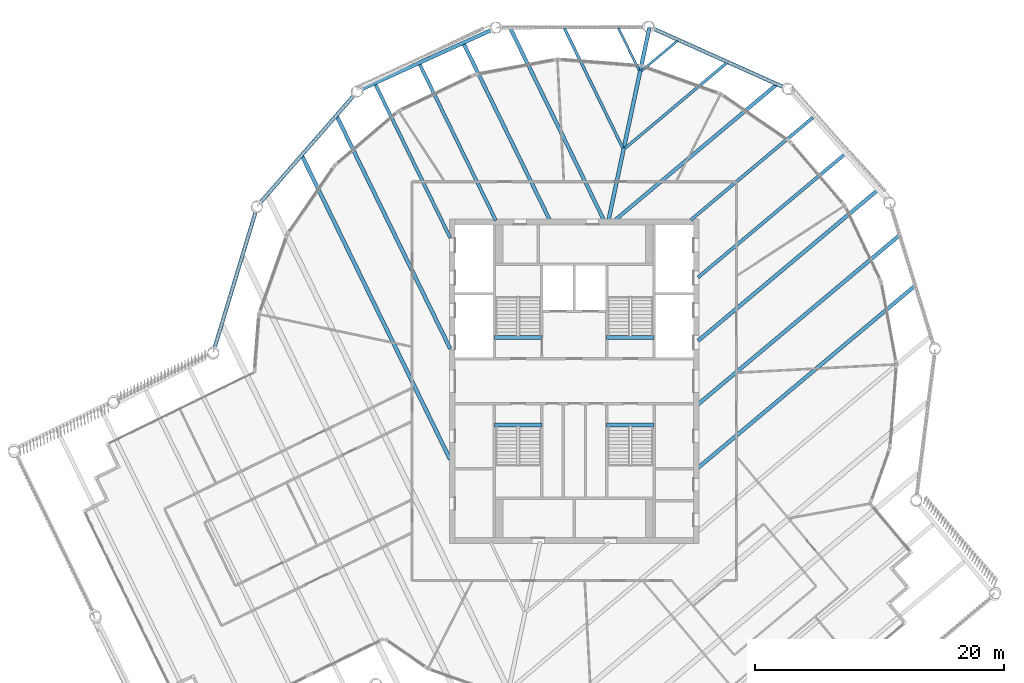
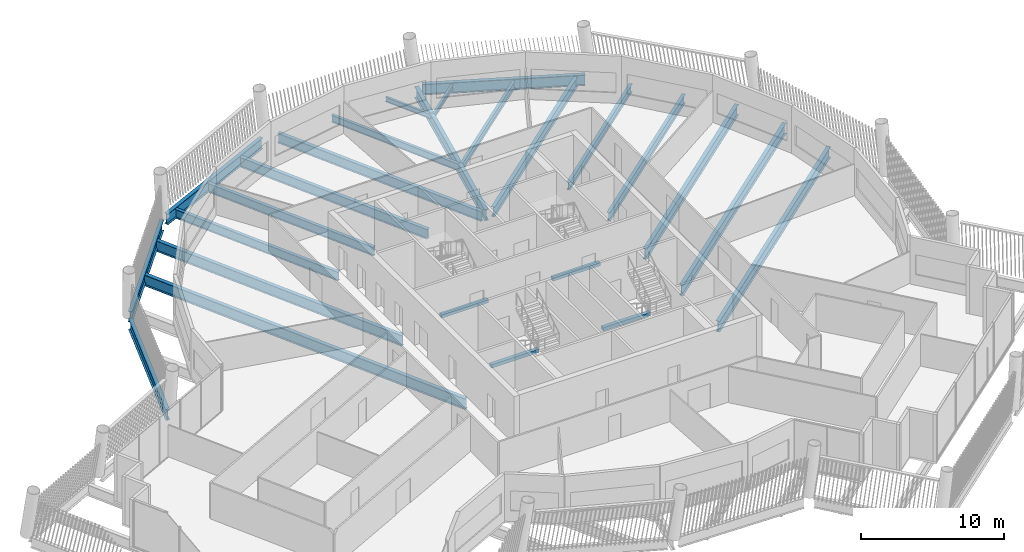
# One storey, part 15 of 31: 25 beams.
"""IFC4 building model written with IfcOpenShell, lengths in metres."""

from ifc_helpers import new_model, si_unit, direction, frame, origin, origin_2d, place, context, subcontext, project, spatial, rectangle, i_section, extrude, material, material_profile, profile_set, type_object, element, save


model = new_model("IFC4")

# Units and contexts
model_context = context("Model", 3, precision=1e-05, world=origin(), true_north=direction((0.0, 1.0)))
body_context = subcontext(model_context, "Body", "Model", "MODEL_VIEW")
ifc_project = project(units=[si_unit("LENGTHUNIT", "METRE"), si_unit("AREAUNIT", "SQUARE_METRE"), si_unit("VOLUMEUNIT", "CUBIC_METRE"), si_unit("PLANEANGLEUNIT", "RADIAN"), si_unit("MASSUNIT", "GRAM", prefix="KILO")], contexts=[model_context])

# Site, building, storey
site_placement = place(None, origin())
site = spatial("IfcSite", under=ifc_project, at=site_placement, CompositionType="ELEMENT")
building_placement = place(site_placement, origin())
building = spatial("IfcBuilding", under=site, at=building_placement, Name="Tarsis Ring Headquarters", CompositionType="ELEMENT")
storey_placement = place(building_placement, frame((0.0, 0.0, 390.199951171875)))
storey = spatial("IfcBuildingStorey", under=building, at=storey_placement, Name="L92", CompositionType="ELEMENT", Elevation=390.199951171875)

# Beams
ifc_material_1 = material(Name="Structural steel S355", Category="steel")
ifc_material_profile_1 = material_profile(ifc_material_1, i_section(OverallWidth=0.177734375, OverallDepth=0.406494140625, WebThickness=0.0078125, FlangeThickness=0.0126953125, at=origin_2d()), Name="W16x40")
ifc_profile_set_1 = profile_set([ifc_material_profile_1], Name="Structural steel S355")
beam_type_1 = type_object("IfcBeamType", Name="FB Floor beam W16x40", PredefinedType="JOIST", material=ifc_profile_set_1)
beam_1_placement = place(storey_placement, frame((5.38427734375, 24.88232421875, -0.363037109375), z_axis=(0.766057117415, 0.642772504746, 0.0), x_axis=(-0.642772504746, 0.766057117415, 0.0)))
element("IfcBeam", 1, at=beam_1_placement, inside=storey, type_object=beam_type_1, Name="Floor beam FB1", PredefinedType="JOIST", context=body_context, shape_type="SweptSolid", body=[
    extrude(i_section(OverallWidth=0.177734375, OverallDepth=0.406494140625, WebThickness=0.0078125, FlangeThickness=0.0126953125, at=origin_2d()), origin(), (0.0, 0.0, 1.0), 3.80810546875),
])
beam_2_placement = place(storey_placement, frame((3.532470703125, 28.34375, -0.363037109375), z_axis=(0.438344050683, -0.898807261448, 0.0), x_axis=(0.898807261448, 0.438344050683, 0.0)))
element("IfcBeam", 2, at=beam_2_placement, inside=storey, type_object=beam_type_1, Name="Floor beam FB1", PredefinedType="JOIST", context=body_context, shape_type="SweptSolid", body=[
    extrude(i_section(OverallWidth=0.177734375, OverallDepth=0.406494140625, WebThickness=0.0078125, FlangeThickness=0.0126953125, at=origin_2d()), origin(), (0.0, 0.0, 1.0), 3.807861328125),
])
ifc_material_profile_2 = material_profile(ifc_material_1, i_section(OverallWidth=0.228271484375, OverallDepth=0.607177734375, WebThickness=0.01123046875, FlangeThickness=0.017333984375, at=origin_2d()), Name="W24x76")
ifc_profile_set_2 = profile_set([ifc_material_profile_2], Name="Structural steel S355")
beam_type_2 = type_object("IfcBeamType", Name="FB Floor beam W24x76", PredefinedType="JOIST", material=ifc_profile_set_2)
beam_3_placement = place(storey_placement, frame((4.0673828125, 18.686279296875, -0.463623046875), z_axis=(0.766048571641, 0.642782689474, 0.0), x_axis=(-0.642782689474, 0.766048571641, 0.0)))
element("IfcBeam", 3, at=beam_3_placement, inside=storey, type_object=beam_type_2, Name="Floor beam FB4", PredefinedType="JOIST", context=body_context, shape_type="SweptSolid", body=[
    extrude(i_section(OverallWidth=0.228271484375, OverallDepth=0.607177734375, WebThickness=0.01123046875, FlangeThickness=0.017333984375, at=origin_2d()), origin(), (0.0, 0.0, 1.0), 10.687255859375),
])
beam_4_placement = place(storey_placement, frame((-0.800537109375, 28.330810546875, -0.463623046875), z_axis=(0.438392577123, -0.898783593711, 0.0), x_axis=(0.898783593711, 0.438392577123, 0.0)))
element("IfcBeam", 4, at=beam_4_placement, inside=storey, type_object=beam_type_2, Name="Floor beam FB4", PredefinedType="JOIST", context=body_context, shape_type="SweptSolid", body=[
    extrude(i_section(OverallWidth=0.228271484375, OverallDepth=0.607177734375, WebThickness=0.01123046875, FlangeThickness=0.017333984375, at=origin_2d()), origin(), (0.0, 0.0, 1.0), 10.6875),
])
ifc_material_profile_3 = material_profile(ifc_material_1, i_section(OverallWidth=0.2529296875, OverallDepth=0.67822265625, WebThickness=0.01171875, FlangeThickness=0.016357421875, at=origin_2d()), Name="W27x84")
ifc_profile_set_3 = profile_set([ifc_material_profile_3], Name="Structural steel S355")
beam_type_3 = type_object("IfcBeamType", Name="FB Floor beam W27x84", PredefinedType="JOIST", material=ifc_profile_set_3)
beam_5_placement = place(storey_placement, frame((9.348876953125, 12.935791015625, -0.4990234375), z_axis=(0.766048862364, 0.642782342999, 0.0), x_axis=(-0.642782342999, 0.766048862364, 0.0)))
element("IfcBeam", 5, at=beam_5_placement, inside=storey, type_object=beam_type_3, Name="Floor beam FB5", PredefinedType="JOIST", context=body_context, shape_type="SweptSolid", body=[
    extrude(i_section(OverallWidth=0.2529296875, OverallDepth=0.67822265625, WebThickness=0.01171875, FlangeThickness=0.016357421875, at=origin_2d()), origin(), (0.0, 0.0, 1.0), 12.77490234375),
])
ifc_material_profile_4 = material_profile(ifc_material_1, i_section(OverallWidth=0.2666015625, OverallDepth=0.7568359375, WebThickness=0.013916015625, FlangeThickness=0.019287109375, at=origin_2d()), Name="W30x108")
ifc_profile_set_4 = profile_set([ifc_material_profile_4], Name="Structural steel S355")
beam_type_4 = type_object("IfcBeamType", Name="FB Floor beam W30x108", PredefinedType="JOIST", material=ifc_profile_set_4)
beam_6_placement = place(storey_placement, frame((9.92333984375, 8.32666015625, -0.538330078125), z_axis=(0.766042701254, 0.642789685555, 0.0), x_axis=(-0.642789685555, 0.766042701254, 0.0)))
element("IfcBeam", 6, at=beam_6_placement, inside=storey, type_object=beam_type_4, Name="Floor beam FB6", PredefinedType="JOIST", context=body_context, shape_type="SweptSolid", body=[
    extrude(i_section(OverallWidth=0.2666015625, OverallDepth=0.7568359375, WebThickness=0.013916015625, FlangeThickness=0.019287109375, at=origin_2d()), origin(), (0.0, 0.0, 1.0), 15.39892578125),
])
beam_7_placement = place(storey_placement, frame((-12.428955078125, 25.483154296875, -0.538330078125), z_axis=(0.438374804306, -0.8987922624, 0.0), x_axis=(0.8987922624, 0.438374804306, 0.0)))
element("IfcBeam", 7, at=beam_7_placement, inside=storey, type_object=beam_type_4, Name="Floor beam FB6", PredefinedType="JOIST", context=body_context, shape_type="SweptSolid", body=[
    extrude(i_section(OverallWidth=0.2666015625, OverallDepth=0.7568359375, WebThickness=0.013916015625, FlangeThickness=0.019287109375, at=origin_2d()), origin(), (0.0, 0.0, 1.0), 13.98876953125),
])
beam_8_placement = place(storey_placement, frame((-15.978759765625, 23.864501953125, -0.538330078125), z_axis=(0.438384768402, -0.898787402467, 0.0), x_axis=(0.898787402467, 0.438384768402, 0.0)))
element("IfcBeam", 8, at=beam_8_placement, inside=storey, type_object=beam_type_4, Name="Floor beam FB6", PredefinedType="JOIST", context=body_context, shape_type="SweptSolid", body=[
    extrude(i_section(OverallWidth=0.2666015625, OverallDepth=0.7568359375, WebThickness=0.013916015625, FlangeThickness=0.019287109375, at=origin_2d()), origin(), (0.0, 0.0, 1.0), 13.73828125),
])
ifc_material_profile_5 = material_profile(ifc_material_1, i_section(OverallWidth=0.2919921875, OverallDepth=0.835693359375, WebThickness=0.013916015625, FlangeThickness=0.018798828125, at=origin_2d()), Name="W33x118")
ifc_profile_set_5 = profile_set([ifc_material_profile_5], Name="Structural steel S355")
beam_type_5 = type_object("IfcBeamType", Name="FB Floor beam W33x118", PredefinedType="JOIST", material=ifc_profile_set_5)
beam_9_placement = place(storey_placement, frame((3.281494140625, 12.935791015625, -0.577880859375), z_axis=(0.766052493561, 0.642778015421, 0.0), x_axis=(-0.642778015421, 0.766052493561, 0.0)))
element("IfcBeam", 9, at=beam_9_placement, inside=storey, type_object=beam_type_5, Name="Floor beam FB7", PredefinedType="JOIST", context=body_context, shape_type="SweptSolid", body=[
    extrude(i_section(OverallWidth=0.2919921875, OverallDepth=0.835693359375, WebThickness=0.013916015625, FlangeThickness=0.018798828125, at=origin_2d()), origin(), (0.0, 0.0, 1.0), 16.87353515625),
])
beam_10_placement = place(storey_placement, frame((-5.13330078125, 28.31787109375, -0.577880859375), z_axis=(0.438373405604, -0.898792944598, 0.0), x_axis=(0.898792944598, 0.438373405604, 0.0)))
element("IfcBeam", 10, at=beam_10_placement, inside=storey, type_object=beam_type_5, Name="Floor beam FB7", PredefinedType="JOIST", context=body_context, shape_type="SweptSolid", body=[
    extrude(i_section(OverallWidth=0.2919921875, OverallDepth=0.835693359375, WebThickness=0.013916015625, FlangeThickness=0.018798828125, at=origin_2d()), origin(), (0.0, 0.0, 1.0), 17.142578125),
])
beam_11_placement = place(storey_placement, frame((-8.87939453125, 27.101806640625, -0.577880859375), z_axis=(0.438378545742, -0.898790437551, 0.0), x_axis=(0.898790437551, 0.438378545742, 0.0)))
element("IfcBeam", 11, at=beam_11_placement, inside=storey, type_object=beam_type_5, Name="Floor beam FB7", PredefinedType="JOIST", context=body_context, shape_type="SweptSolid", body=[
    extrude(i_section(OverallWidth=0.2919921875, OverallDepth=0.835693359375, WebThickness=0.013916015625, FlangeThickness=0.018798828125, at=origin_2d()), origin(), (0.0, 0.0, 1.0), 15.789794921875),
])
ifc_material_profile_6 = material_profile(ifc_material_1, i_section(OverallWidth=0.3046875, OverallDepth=0.904296875, WebThickness=0.01513671875, FlangeThickness=0.02001953125, at=origin_2d()), Name="W36x135")
ifc_profile_set_6 = profile_set([ifc_material_profile_6], Name="Structural steel S355")
beam_type_6 = type_object("IfcBeamType", Name="FB Floor beam W36x135", PredefinedType="JOIST", material=ifc_profile_set_6)
beam_12_placement = place(storey_placement, frame((9.92333984375, 3.235595703125, -0.612060546875), z_axis=(0.766042179182, 0.642790307732, 0.0), x_axis=(-0.642790307732, 0.766042179182, 0.0)))
element("IfcBeam", 12, at=beam_12_placement, inside=storey, type_object=beam_type_6, Name="Floor beam FB8", PredefinedType="JOIST", context=body_context, shape_type="SweptSolid", body=[
    extrude(i_section(OverallWidth=0.3046875, OverallDepth=0.904296875, WebThickness=0.01513671875, FlangeThickness=0.02001953125, at=origin_2d()), origin(), (0.0, 0.0, 1.0), 18.772216796875),
])
beam_13_placement = place(storey_placement, frame((9.92333984375, -1.85546875, -0.612060546875), z_axis=(0.766045833186, 0.642785953066, 0.0), x_axis=(-0.642785953066, 0.766045833186, 0.0)))
element("IfcBeam", 13, at=beam_13_placement, inside=storey, type_object=beam_type_6, Name="Floor beam FB8", PredefinedType="JOIST", context=body_context, shape_type="SweptSolid", body=[
    extrude(i_section(OverallWidth=0.3046875, OverallDepth=0.904296875, WebThickness=0.01513671875, FlangeThickness=0.02001953125, at=origin_2d()), origin(), (0.0, 0.0, 1.0), 21.052734375),
])
beam_14_placement = place(storey_placement, frame((-19.049072265625, 21.26318359375, -0.612060546875), z_axis=(0.438378411778, -0.898790502891, 0.0), x_axis=(0.898790502891, 0.438378411778, 0.0)))
element("IfcBeam", 14, at=beam_14_placement, inside=storey, type_object=beam_type_6, Name="Floor beam FB8", PredefinedType="JOIST", context=body_context, shape_type="SweptSolid", body=[
    extrude(i_section(OverallWidth=0.3046875, OverallDepth=0.904296875, WebThickness=0.01513671875, FlangeThickness=0.02001953125, at=origin_2d()), origin(), (0.0, 0.0, 1.0), 20.742431640625),
])
ifc_material_profile_7 = material_profile(ifc_material_1, i_section(OverallWidth=0.3046875, OverallDepth=0.91943359375, WebThickness=0.017333984375, FlangeThickness=0.02783203125, at=origin_2d()), Name="W36x170")
ifc_profile_set_7 = profile_set([ifc_material_profile_7], Name="Structural steel S355")
beam_type_7 = type_object("IfcBeamType", Name="FB Floor beam W36x170", PredefinedType="JOIST", material=ifc_profile_set_7)
beam_15_placement = place(storey_placement, frame((9.92333984375, -6.946533203125, -0.61962890625), z_axis=(0.76604466865, 0.642787340909, 0.0), x_axis=(-0.642787340909, 0.76604466865, 0.0)))
element("IfcBeam", 15, at=beam_15_placement, inside=storey, type_object=beam_type_7, Name="Floor beam FB9", PredefinedType="JOIST", context=body_context, shape_type="SweptSolid", body=[
    extrude(i_section(OverallWidth=0.3046875, OverallDepth=0.91943359375, WebThickness=0.017333984375, FlangeThickness=0.02783203125, at=origin_2d()), origin(), (0.0, 0.0, 1.0), 22.681396484375),
])
ifc_material_profile_8 = material_profile(ifc_material_1, i_section(OverallWidth=0.309814453125, OverallDepth=0.93212890625, WebThickness=0.02099609375, FlangeThickness=0.034423828125, at=origin_2d()), Name="W36x210")
ifc_profile_set_8 = profile_set([ifc_material_profile_8], Name="Structural steel S355")
beam_type_8 = type_object("IfcBeamType", Name="FB Floor beam W36x210", PredefinedType="JOIST", material=ifc_profile_set_8)
beam_16_placement = place(storey_placement, frame((-21.833740234375, 18.076171875, -0.6259765625), z_axis=(0.438372326155, -0.898793471083, 0.0), x_axis=(0.898793471083, 0.438372326155, 0.0)))
element("IfcBeam", 16, at=beam_16_placement, inside=storey, type_object=beam_type_8, Name="Floor beam FB10", PredefinedType="JOIST", context=body_context, shape_type="SweptSolid", body=[
    extrude(i_section(OverallWidth=0.309814453125, OverallDepth=0.93212890625, WebThickness=0.02099609375, FlangeThickness=0.034423828125, at=origin_2d()), origin(), (0.0, 0.0, 1.0), 27.094970703125),
])
ifc_material_profile_9 = material_profile(ifc_material_1, i_section(OverallWidth=0.309814453125, OverallDepth=0.949951171875, WebThickness=0.0244140625, FlangeThickness=0.0439453125, at=origin_2d()), Name="W36x256")
ifc_profile_set_9 = profile_set([ifc_material_profile_9], Name="Structural steel S355")
beam_type_9 = type_object("IfcBeamType", Name="FB Floor beam W36x256 spine", PredefinedType="BEAM", material=ifc_profile_set_9)
beam_17_placement = place(storey_placement, frame((6.02783203125, 28.359130859375, -0.635009765625), z_axis=(-0.207906058464, -0.978148797911, 0.0), x_axis=(0.978148797911, -0.207906058464, 0.0)))
element("IfcBeam", 17, at=beam_17_placement, inside=storey, type_object=beam_type_9, Name="Floor beam SB11", PredefinedType="BEAM", context=body_context, shape_type="SweptSolid", body=[
    extrude(i_section(OverallWidth=0.309814453125, OverallDepth=0.949951171875, WebThickness=0.0244140625, FlangeThickness=0.0439453125, at=origin_2d()), origin(), (0.0, 0.0, 1.0), 15.80224609375),
])
ifc_material_2 = material(Name="Concrete C40/50", Category="concrete")
ifc_material_profile_10 = material_profile(ifc_material_2, rectangle(XDim=0.300048828125, YDim=0.300048828125, at=origin_2d()), Name="Stair head beam 300x300 C40/50")
ifc_profile_set_10 = profile_set([ifc_material_profile_10], Name="Concrete C40/50")
beam_type_10 = type_object("IfcBeamType", Name="Stair head beam 300x300 C40/50", PredefinedType="BEAM", material=ifc_profile_set_10)
for number, where, z_axis, x_axis, name in (
    (18, (-6.39990234375, 3.510009765625, -0.31005859375), (1.0, 0.0, 0.0), (0.0, 1.0, 0.0), "Stair head beam L92 Firefighting stair"),
    (19, (2.60009765625, 3.510009765625, -0.31005859375), (1.0, 0.0, 0.0), (0.0, 1.0, 0.0), "Stair head beam L92 Exit stair B"),
    (20, (-6.39990234375, -3.510009765625, -0.31005859375), (1.0, 0.0, 0.0), (0.0, 1.0, 0.0), "Stair head beam L92 Exit stair C"),
    (21, (2.60009765625, -3.510009765625, -0.31005859375), (1.0, 0.0, 0.0), (0.0, 1.0, 0.0), "Stair head beam L92 Exit stair D"),
):
    element("IfcBeam", number, at=place(storey_placement, frame(where, z_axis=z_axis, x_axis=x_axis)), inside=storey, type_object=beam_type_10, Name=name, PredefinedType="BEAM", context=body_context, shape_type="SweptSolid", body=[
        extrude(rectangle(XDim=0.300048828125, YDim=0.300048828125, at=origin_2d()), origin(), (0.0, 0.0, 1.0), 3.7998046875),
    ])
beam_type_11 = type_object("IfcBeamType", Name="XG Ring girder W36x170", PredefinedType="BEAM", material=ifc_profile_set_7)
beam_18_placement = place(storey_placement, frame((16.839111328125, 23.566650390625, -0.459716796875), z_axis=(-0.912318083079, 0.409482252714, 0.0), x_axis=(-0.409482252714, -0.912318083079, 0.0)))
element("IfcBeam", 22, at=beam_18_placement, inside=storey, type_object=beam_type_11, Name="Ring girder XG4", PredefinedType="BEAM", context=body_context, shape_type="SweptSolid", body=[
    extrude(i_section(OverallWidth=0.3046875, OverallDepth=0.91943359375, WebThickness=0.017333984375, FlangeThickness=0.02783203125, at=origin_2d()), origin(), (0.0, 0.0, 1.0), 11.426025390625),
])
for number, where, z_axis, x_axis, name in (
    (23, (-6.583740234375, 28.206298828125, -0.459716796875), (-0.909862354991, -0.414910225194, 0.0), (0.414910225194, -0.909862354991, 0.0), "Ring girder XG4"),
    (24, (-17.624755859375, 22.985107421875, -0.459716796875), (-0.657941688695, -0.753068877512, 0.0), (0.753068877512, -0.657941688695, 0.0), "Ring girder XG4"),
):
    element("IfcBeam", number, at=place(storey_placement, frame(where, z_axis=z_axis, x_axis=x_axis)), inside=storey, type_object=beam_type_11, Name=name, PredefinedType="BEAM", context=body_context, shape_type="SweptSolid", body=[
        extrude(i_section(OverallWidth=0.3046875, OverallDepth=0.91943359375, WebThickness=0.017333984375, FlangeThickness=0.02783203125, at=origin_2d()), origin(), (0.0, 0.0, 1.0), 11.42578125),
    ])
beam_19_placement = place(storey_placement, frame((-25.531982421875, 13.677001953125, -0.459716796875), z_axis=(-0.289054840946, -0.957312539835, 0.0), x_axis=(0.957312539835, -0.289054840946, 0.0)))
element("IfcBeam", 25, at=beam_19_placement, inside=storey, type_object=beam_type_11, Name="Ring girder XG4", PredefinedType="BEAM", context=body_context, shape_type="SweptSolid", body=[
    extrude(i_section(OverallWidth=0.3046875, OverallDepth=0.91943359375, WebThickness=0.017333984375, FlangeThickness=0.02783203125, at=origin_2d()), origin(), (0.0, 0.0, 1.0), 11.426025390625),
])

save(model, "model.ifc")
